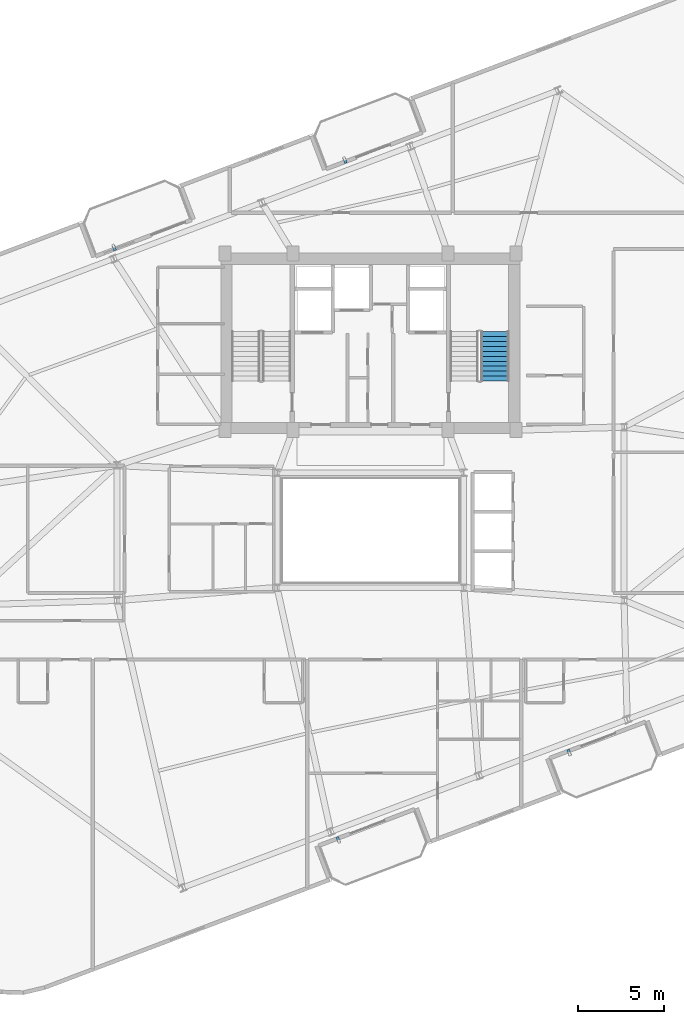
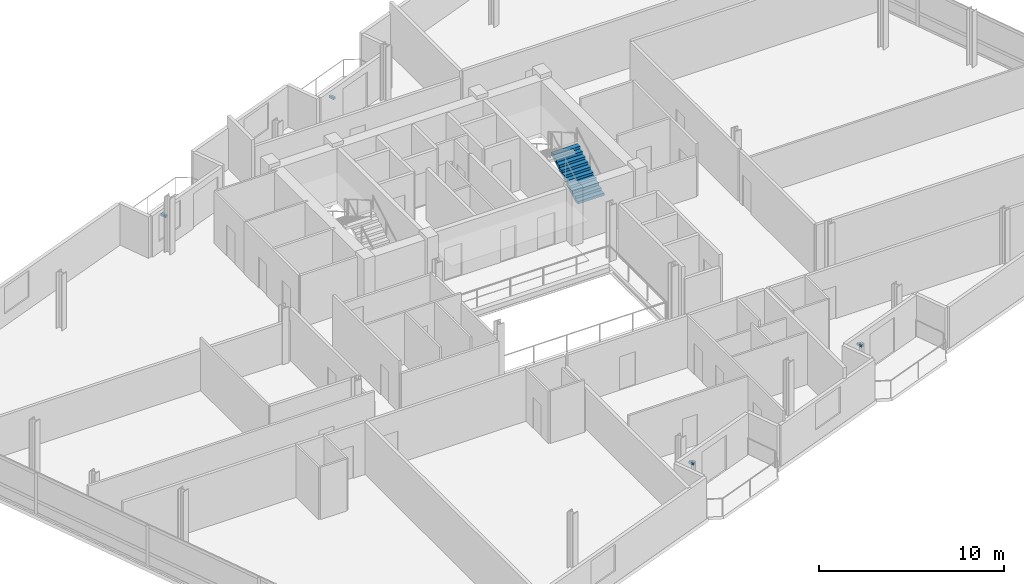
# One storey, part 18 of 20: 4 discrete accessories, 1 stair flight, 1 element without a shape of its own.
"""IFC4 building model written with IfcOpenShell, lengths in metres."""

from ifc_helpers import new_model, si_unit, direction, frame, origin, origin_2d, place, context, subcontext, project, spatial, polyline, rectangle, outline, extrude, source, transform, mapped, material, type_object, element, aggregate, save


model = new_model("IFC4")

# Units and contexts
model_context = context("Model", 3, precision=1e-05, world=origin(), true_north=direction((0.0, 1.0)))
body_context = subcontext(model_context, "Body", "Model", "MODEL_VIEW")
ifc_project = project(units=[si_unit("LENGTHUNIT", "METRE"), si_unit("AREAUNIT", "SQUARE_METRE"), si_unit("VOLUMEUNIT", "CUBIC_METRE"), si_unit("PLANEANGLEUNIT", "RADIAN"), si_unit("MASSUNIT", "GRAM", prefix="KILO")], contexts=[model_context])

# Site, building, storey
site_placement = place(None, origin())
site = spatial("IfcSite", under=ifc_project, at=site_placement, CompositionType="ELEMENT")
building_placement = place(site_placement, origin())
building = spatial("IfcBuilding", under=site, at=building_placement, Name="Varnelok Gate Tower", CompositionType="ELEMENT")
storey_placement = place(building_placement, frame((0.0, 0.0, 223.800048828125)))
storey = spatial("IfcBuildingStorey", under=building, at=storey_placement, Name="L57", CompositionType="ELEMENT", Elevation=223.800048828125)

# Stair, stair flight
ifc_material_1 = material(Name="Concrete C50/60", Category="concrete")
stair_type = type_object("IfcStairType", Name="STR-CORE-1650", PredefinedType="HALF_TURN_STAIR", material=ifc_material_1)
stair_placement = place(storey_placement, origin())
stair = element("IfcStair", 1, at=stair_placement, inside=storey, type_object=stair_type, Name="L57 Exit Stair ST-2", PredefinedType="HALF_TURN_STAIR")
stair_flight_type = type_object("IfcStairFlightType", Name="SFL-CORE-1650", PredefinedType="STRAIGHT", material=ifc_material_1)
stair_flight_placement = place(storey_placement, frame((46.47509765625, 31.60009765625, 0.0), z_axis=(0.0, 0.0, 1.0), x_axis=(0.0, 1.0, 0.0)))
stair_flight = element("IfcStairFlight", 2, at=stair_flight_placement, type_object=stair_flight_type, Name="ST-2 flight 1", NumberOfRisers=11, NumberOfTreads=10, PredefinedType="STRAIGHT", RiserHeight=0.168181818, TreadLength=0.29, context=body_context, shape_type="SweptSolid", body=[
    extrude(outline(polyline([(0.0, 0.0), (0.0, 0.168212890625), (0.2900390625, 0.168212890625), (0.2900390625, 0.33642578125), (0.580078125, 0.33642578125), (0.580078125, 0.504638671875), (0.8701171875, 0.504638671875), (0.8701171875, 0.672607421875), (1.159912109375, 0.672607421875), (1.159912109375, 0.8408203125), (1.449951171875, 0.8408203125), (1.449951171875, 1.009033203125), (1.739990234375, 1.009033203125), (1.739990234375, 1.17724609375), (2.030029296875, 1.17724609375), (2.030029296875, 1.345458984375), (2.320068359375, 1.345458984375), (2.320068359375, 1.513671875), (2.610107421875, 1.513671875), (2.610107421875, 1.681884765625), (2.89990234375, 1.681884765625), (2.89990234375, 1.85009765625), (2.89990234375, 1.508544921875), (0.298828125, 0.0), (0.0, 0.0)])), frame((0.0, 0.824951171875, 0.0), z_axis=(0.0, -1.0, 0.0), x_axis=(1.0, 0.0, 0.0)), (0.0, 0.0, 1.0), 1.64990234375),
])
aggregate(stair, [stair_flight])

# Discrete accessories
ifc_material_2 = material(Name="Structural Steel ASTM A500 Grade C", Category="steel")
discrete_accessory_type = type_object("IfcDiscreteAccessoryType", Name="ACC-BAGUETTE-BRK", PredefinedType="BRACKET", material=ifc_material_2)
shared_shape = source(origin(), body_context, "Body", "SweptSolid", [
    extrude(rectangle(XDim=0.159912109375, YDim=0.340087890625, at=origin_2d()), origin(), (0.0, 0.0, 1.0), 0.139892578125),
])
for number, where, z_axis, x_axis, name in (
    (3, (37.322509765625, 4.83984375, 1.97998046875), (0.0, 0.0, 1.0), (0.935221751401, 0.354062530786, 0.0), "L57 Terracotta Baguette Bracket 1.1"),
    (4, (50.789794921875, 9.9384765625, 1.97998046875), (0.0, 0.0, 1.0), (0.935221751401, 0.354062530786, 0.0), "L57 Terracotta Baguette Bracket 2.1"),
    (5, (24.243408203125, 39.386962890625, 1.97998046875), (0.0, 0.0, 1.0), (0.935221751401, 0.354062530786, 0.0), "L57 Terracotta Baguette Bracket 3.1"),
    (6, (37.710693359375, 44.485595703125, 1.97998046875), (0.0, 0.0, 1.0), (0.935221751401, 0.354062530786, 0.0), "L57 Terracotta Baguette Bracket 4.1"),
):
    element("IfcDiscreteAccessory", number, at=place(storey_placement, frame(where, z_axis=z_axis, x_axis=x_axis)), inside=storey, type_object=discrete_accessory_type, Name=name, PredefinedType="BRACKET", context=body_context, shape_type="MappedRepresentation", body=[
        mapped(shared_shape, transform((0.0, 0.0, 0.0), scale=1.0)),
    ])

save(model, "model.ifc")
